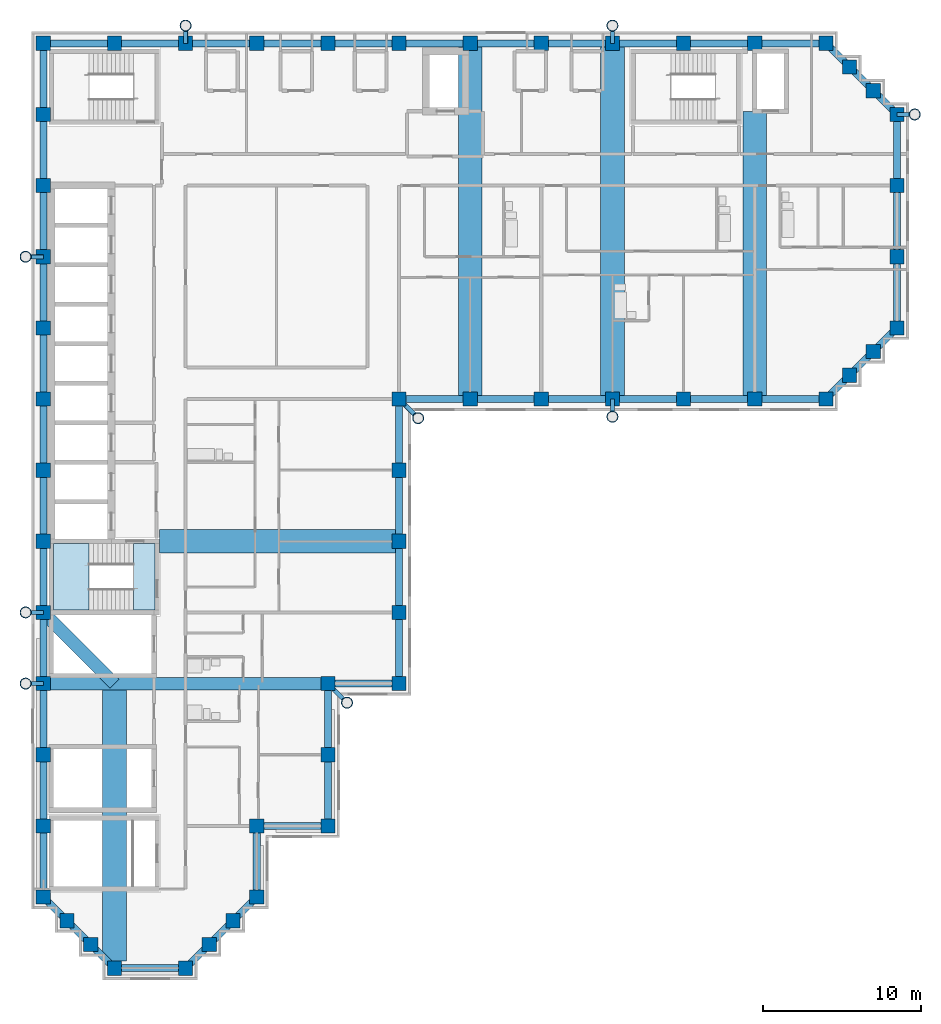
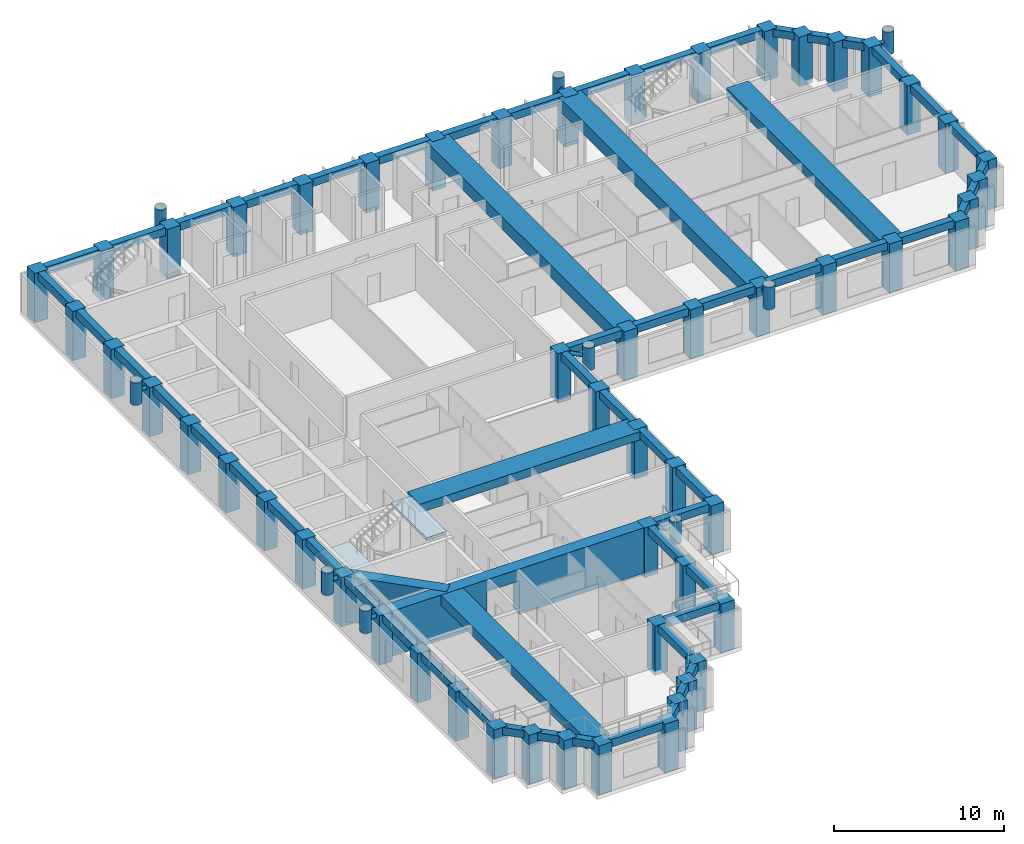
# One storey, part 1 of 11: 61 beams, 54 columns, 18 members, 2 slabs, 1 element without a shape of its own.
"""IFC4 building model written with IfcOpenShell, lengths in metres."""

from ifc_helpers import new_model, entity, si_unit, direction, frame, origin, origin_2d, place, context, subcontext, project, spatial, polyline, rectangle, hollow_circle, outline, extrude, boolean, material, layer, layer_set, material_profile, profile_set, type_object, element, aggregate, save


model = new_model("IFC4")

# Units and contexts
model_context = context("Model", 3, precision=1e-05, world=origin(), true_north=direction((0.0, 1.0)))
body_context = subcontext(model_context, "Body", "Model", "MODEL_VIEW")
ifc_project = project(units=[si_unit("LENGTHUNIT", "METRE"), si_unit("AREAUNIT", "SQUARE_METRE"), si_unit("VOLUMEUNIT", "CUBIC_METRE"), si_unit("PLANEANGLEUNIT", "RADIAN"), si_unit("MASSUNIT", "GRAM", prefix="KILO")], contexts=[model_context])

# Site, building, storey
site_placement = place(None, origin())
site = spatial("IfcSite", under=ifc_project, at=site_placement, CompositionType="ELEMENT")
building_placement = place(site_placement, origin())
building = spatial("IfcBuilding", under=site, at=building_placement, Name="Firuza Court", CompositionType="ELEMENT")
storey_placement = place(building_placement, frame((0.0, 0.0, 207.800048828125)))
storey = spatial("IfcBuildingStorey", under=building, at=storey_placement, Name="L53", CompositionType="ELEMENT", Elevation=207.800048828125)

# Columns
ifc_material_1 = material(Name="Concrete C50/60", Category="concrete")
ifc_material_profile_1 = material_profile(ifc_material_1, rectangle(XDim=0.89990234375, YDim=0.89990234375, at=origin_2d()), Name="RC 900x900")
ifc_profile_set_1 = profile_set([ifc_material_profile_1], Name="Concrete C50/60")
column_type = type_object("IfcColumnType", Name="Tube column RC 900x900 C50/60", PredefinedType="COLUMN", material=ifc_profile_set_1)
for number, where, z_axis, x_axis, name in (
    (1, (4.5, 0.0, -0.300048828125), (0.0, 0.0, 1.0), (1.0, 0.0, 0.0), "Column C-2D L53"),
    (2, (9.0, 0.0, -0.300048828125), (0.0, 0.0, 1.0), (1.0, 0.0, 0.0), "Column C-3D L53"),
    (3, (3.0, 1.5, -0.300048828125), (0.0, 0.0, 1.0), (1.0, 0.0, 0.0), "Column C-SA1 L53"),
    (4, (10.5, 1.5, -0.300048828125), (0.0, 0.0, 1.0), (1.0, 0.0, 0.0), "Column C-SA2 L53"),
    (5, (1.5, 3.0, -0.300048828125), (0.0, 0.0, 1.0), (1.0, 0.0, 0.0), "Column C-SA3 L53"),
    (6, (12.0, 3.0, -0.300048828125), (0.0, 0.0, 1.0), (1.0, 0.0, 0.0), "Column C-SA4 L53"),
    (7, (0.0, 4.5, -0.300048828125), (0.0, 0.0, 1.0), (1.0, 0.0, 0.0), "Column C-1E L53"),
    (8, (13.5, 4.5, -0.300048828125), (0.0, 0.0, 1.0), (1.0, 0.0, 0.0), "Column C-4E L53"),
    (9, (0.0, 9.0, -0.300048828125), (0.0, 0.0, 1.0), (1.0, 0.0, 0.0), "Column C-1F L53"),
    (10, (13.5, 9.0, -0.300048828125), (0.0, 0.0, 1.0), (1.0, 0.0, 0.0), "Column C-4F L53"),
    (11, (18.0, 9.0, -0.300048828125), (0.0, 0.0, 1.0), (1.0, 0.0, 0.0), "Column C-5F L53"),
    (12, (0.0, 13.5, -0.300048828125), (0.0, 0.0, 1.0), (1.0, 0.0, 0.0), "Column C-1G L53"),
    (13, (18.0, 13.5, -0.300048828125), (0.0, 0.0, 1.0), (1.0, 0.0, 0.0), "Column C-5G L53"),
    (14, (0.0, 18.0, -0.300048828125), (0.0, 0.0, 1.0), (1.0, 0.0, 0.0), "Column C-1H L53"),
    (15, (18.0, 18.0, -0.300048828125), (0.0, 0.0, 1.0), (1.0, 0.0, 0.0), "Column C-5H L53"),
    (16, (22.5, 18.0, -0.300048828125), (0.0, 0.0, 1.0), (1.0, 0.0, 0.0), "Column C-6H L53"),
    (17, (0.0, 22.5, -0.300048828125), (0.0, 0.0, 1.0), (1.0, 0.0, 0.0), "Column C-1J L53"),
    (18, (22.5, 22.5, -0.300048828125), (0.0, 0.0, 1.0), (1.0, 0.0, 0.0), "Column C-6J L53"),
    (19, (0.0, 27.0, -0.300048828125), (0.0, 0.0, 1.0), (1.0, 0.0, 0.0), "Column C-1K L53"),
    (20, (22.5, 27.0, -0.300048828125), (0.0, 0.0, 1.0), (1.0, 0.0, 0.0), "Column C-6K L53"),
    (21, (0.0, 31.5, -0.300048828125), (0.0, 0.0, 1.0), (1.0, 0.0, 0.0), "Column C-1L L53"),
    (22, (22.5, 31.5, -0.300048828125), (0.0, 0.0, 1.0), (1.0, 0.0, 0.0), "Column C-6L L53"),
    (23, (0.0, 36.0, -0.300048828125), (0.0, 0.0, 1.0), (1.0, 0.0, 0.0), "Column C-1M L53"),
    (24, (22.5, 36.0, -0.300048828125), (0.0, 0.0, 1.0), (1.0, 0.0, 0.0), "Column C-6M L53"),
    (25, (27.0, 36.0, -0.300048828125), (0.0, 0.0, 1.0), (1.0, 0.0, 0.0), "Column C-7M L53"),
    (26, (31.5, 36.0, -0.300048828125), (0.0, 0.0, 1.0), (1.0, 0.0, 0.0), "Column C-8M L53"),
    (27, (36.0, 36.0, -0.300048828125), (0.0, 0.0, 1.0), (1.0, 0.0, 0.0), "Column C-9M L53"),
    (28, (40.5, 36.0, -0.300048828125), (0.0, 0.0, 1.0), (1.0, 0.0, 0.0), "Column C-10M L53"),
    (29, (45.0, 36.0, -0.300048828125), (0.0, 0.0, 1.0), (1.0, 0.0, 0.0), "Column C-11M L53"),
    (30, (49.5, 36.0, -0.300048828125), (0.0, 0.0, 1.0), (1.0, 0.0, 0.0), "Column C-12M L53"),
    (31, (51.0, 37.5, -0.300048828125), (0.0, 0.0, 1.0), (1.0, 0.0, 0.0), "Column C-SA5 L53"),
    (32, (52.5, 39.0, -0.300048828125), (0.0, 0.0, 1.0), (1.0, 0.0, 0.0), "Column C-SA6 L53"),
    (33, (0.0, 40.5, -0.300048828125), (0.0, 0.0, 1.0), (1.0, 0.0, 0.0), "Column C-1N L53"),
    (34, (54.0, 40.5, -0.300048828125), (0.0, 0.0, 1.0), (1.0, 0.0, 0.0), "Column C-13N L53"),
    (35, (0.0, 45.0, -0.300048828125), (0.0, 0.0, 1.0), (1.0, 0.0, 0.0), "Column C-1P L53"),
    (36, (54.0, 45.0, -0.300048828125), (0.0, 0.0, 1.0), (1.0, 0.0, 0.0), "Column C-13P L53"),
    (37, (0.0, 49.5, -0.300048828125), (0.0, 0.0, 1.0), (1.0, 0.0, 0.0), "Column C-1Q L53"),
    (38, (54.0, 49.5, -0.300048828125), (0.0, 0.0, 1.0), (1.0, 0.0, 0.0), "Column C-13Q L53"),
    (39, (0.0, 54.0, -0.300048828125), (0.0, 0.0, 1.0), (1.0, 0.0, 0.0), "Column C-1R L53"),
    (40, (54.0, 54.0, -0.300048828125), (0.0, 0.0, 1.0), (1.0, 0.0, 0.0), "Column C-13R L53"),
    (41, (52.5, 55.5, -0.300048828125), (0.0, 0.0, 1.0), (1.0, 0.0, 0.0), "Column C-SA7 L53"),
    (42, (51.0, 57.0, -0.300048828125), (0.0, 0.0, 1.0), (1.0, 0.0, 0.0), "Column C-SA8 L53"),
    (43, (0.0, 58.5, -0.300048828125), (0.0, 0.0, 1.0), (1.0, 0.0, 0.0), "Column C-1S L53"),
    (44, (4.5, 58.5, -0.300048828125), (0.0, 0.0, 1.0), (1.0, 0.0, 0.0), "Column C-2S L53"),
    (45, (9.0, 58.5, -0.300048828125), (0.0, 0.0, 1.0), (1.0, 0.0, 0.0), "Column C-3S L53"),
    (46, (13.5, 58.5, -0.300048828125), (0.0, 0.0, 1.0), (1.0, 0.0, 0.0), "Column C-4S L53"),
    (47, (18.0, 58.5, -0.300048828125), (0.0, 0.0, 1.0), (1.0, 0.0, 0.0), "Column C-5S L53"),
    (48, (22.5, 58.5, -0.300048828125), (0.0, 0.0, 1.0), (1.0, 0.0, 0.0), "Column C-6S L53"),
    (49, (27.0, 58.5, -0.300048828125), (0.0, 0.0, 1.0), (1.0, 0.0, 0.0), "Column C-7S L53"),
    (50, (31.5, 58.5, -0.300048828125), (0.0, 0.0, 1.0), (1.0, 0.0, 0.0), "Column C-8S L53"),
    (51, (36.0, 58.5, -0.300048828125), (0.0, 0.0, 1.0), (1.0, 0.0, 0.0), "Column C-9S L53"),
    (52, (40.5, 58.5, -0.300048828125), (0.0, 0.0, 1.0), (1.0, 0.0, 0.0), "Column C-10S L53"),
    (53, (45.0, 58.5, -0.300048828125), (0.0, 0.0, 1.0), (1.0, 0.0, 0.0), "Column C-11S L53"),
    (54, (49.5, 58.5, -0.300048828125), (0.0, 0.0, 1.0), (1.0, 0.0, 0.0), "Column C-12S L53"),
):
    element("IfcColumn", number, at=place(storey_placement, frame(where, z_axis=z_axis, x_axis=x_axis)), inside=storey, type_object=column_type, Name=name, PredefinedType="COLUMN", context=body_context, shape_type="SweptSolid", body=[
        extrude(rectangle(XDim=0.89990234375, YDim=0.89990234375, at=origin_2d()), origin(), (0.0, 0.0, 1.0), 3.550048828125),
    ])

# Beams
ifc_material_2 = material(Name="Concrete C40/50", Category="concrete")
ifc_material_profile_2 = material_profile(ifc_material_2, rectangle(XDim=1.5, YDim=0.60009765625, at=origin_2d()), Name="RC 1500x600")
ifc_profile_set_2 = profile_set([ifc_material_profile_2], Name="Concrete C40/50")
beam_type_1 = type_object("IfcBeamType", Name="Band beam RC 1500x600 C40/50", PredefinedType="BEAM", material=ifc_profile_set_2)
beam_1_placement = place(storey_placement, frame((22.5, 27.0, 2.949951171875), z_axis=(-1.0, 0.0, 0.0), x_axis=(0.0, -1.0, 0.0)))
element("IfcBeam", 55, at=beam_1_placement, inside=storey, type_object=beam_type_1, Name="Band beam FB3 level L54", PredefinedType="BEAM", context=body_context, shape_type="SweptSolid", body=[
    extrude(rectangle(XDim=1.5, YDim=0.60009765625, at=origin_2d()), origin(), (0.0, 0.0, 1.0), 15.14990234375),
])
ifc_material_3 = material(Name="Concrete C40/50", Category="concrete")
ifc_material_profile_3 = material_profile(ifc_material_3, rectangle(XDim=1.5, YDim=0.699951171875, at=origin_2d()), Name="RC 1500x700")
ifc_profile_set_3 = profile_set([ifc_material_profile_3], Name="Concrete C40/50")
beam_type_2 = type_object("IfcBeamType", Name="Band beam RC 1500x700 C40/50", PredefinedType="BEAM", material=ifc_profile_set_3)
beam_2_placement = place(storey_placement, frame((45.0, 36.0, 2.89990234375), z_axis=(0.0, 1.0, 0.0), x_axis=(-1.0, 0.0, 0.0)))
element("IfcBeam", 56, at=beam_2_placement, inside=storey, type_object=beam_type_2, Name="Band beam FB1 level L54", PredefinedType="BEAM", context=body_context, shape_type="SweptSolid", body=[
    extrude(rectangle(XDim=1.5, YDim=0.699951171875, at=origin_2d()), origin(), (0.0, 0.0, 1.0), 18.199951171875),
])
beam_3_placement = place(storey_placement, frame((4.5, 18.0, 2.89990234375), z_axis=(0.0, -1.0, 0.0), x_axis=(1.0, 0.0, 0.0)))
element("IfcBeam", 57, at=beam_3_placement, inside=storey, type_object=beam_type_2, Name="Band beam FB1 level L54", PredefinedType="BEAM", context=body_context, shape_type="SweptSolid", body=[
    extrude(rectangle(XDim=1.5, YDim=0.699951171875, at=origin_2d()), origin(), (0.0, 0.0, 1.0), 17.550048828125),
])
ifc_material_4 = material(Name="Concrete C40/50", Category="concrete")
ifc_material_profile_4 = material_profile(ifc_material_4, rectangle(XDim=1.5, YDim=0.89990234375, at=origin_2d()), Name="RC 1500x900")
ifc_profile_set_4 = profile_set([ifc_material_profile_4], Name="Concrete C40/50")
beam_type_3 = type_object("IfcBeamType", Name="Band beam RC 1500x900 C40/50", PredefinedType="BEAM", material=ifc_profile_set_4)
for number, where, z_axis, x_axis, name in (
    (58, (27.0, 36.0, 2.800048828125), (0.0, 1.0, 0.0), (-1.0, 0.0, 0.0), "Band beam FB2 level L54"),
    (59, (36.0, 36.0, 2.800048828125), (0.0, 1.0, 0.0), (-1.0, 0.0, 0.0), "Band beam FB2 level L54"),
):
    element("IfcBeam", number, at=place(storey_placement, frame(where, z_axis=z_axis, x_axis=x_axis)), inside=storey, type_object=beam_type_3, Name=name, PredefinedType="BEAM", context=body_context, shape_type="SweptSolid", body=[
        extrude(rectangle(XDim=1.5, YDim=0.89990234375, at=origin_2d()), origin(), (0.0, 0.0, 1.0), 22.5),
    ])

# Members
ifc_material_5 = material(Name="Steel S355", Category="steel")
ifc_material_profile_5 = material_profile(ifc_material_5, hollow_circle(Radius=0.35546875, WallThickness=0.030029296875, at=origin_2d()), Name="CHS 711x30")
ifc_profile_set_5 = profile_set([ifc_material_profile_5], Name="Steel S355")
member_type_1 = type_object("IfcMemberType", Name="Diagrid node CHS 711x30 S355", PredefinedType="USERDEFINED", material=ifc_profile_set_5)
for number, where, z_axis, x_axis, name in (
    (60, (-1.1201171875, 18.0, 2.199951171875), (0.0, 0.0, 1.0), (1.0, 0.0, 0.0), "Diagrid node level L53"),
    (61, (-1.1201171875, 22.5, 2.199951171875), (0.0, 0.0, 1.0), (1.0, 0.0, 0.0), "Diagrid node level L53"),
    (62, (-1.1201171875, 45.0, 2.199951171875), (0.0, 0.0, 1.0), (1.0, 0.0, 0.0), "Diagrid node level L53"),
    (63, (9.0, 59.6201171875, 2.199951171875), (0.0, 0.0, 1.0), (1.0, 0.0, 0.0), "Diagrid node level L53"),
    (64, (19.2099609375, 16.7900390625, 2.199951171875), (0.0, 0.0, 1.0), (1.0, 0.0, 0.0), "Diagrid node level L53"),
    (65, (23.7099609375, 34.7900390625, 2.199951171875), (0.0, 0.0, 1.0), (1.0, 0.0, 0.0), "Diagrid node level L53"),
    (66, (36.0, 34.8798828125, 2.199951171875), (0.0, 0.0, 1.0), (1.0, 0.0, 0.0), "Diagrid node level L53"),
    (67, (36.0, 59.6201171875, 2.199951171875), (0.0, 0.0, 1.0), (1.0, 0.0, 0.0), "Diagrid node level L53"),
    (68, (55.1201171875, 54.0, 2.199951171875), (0.0, 0.0, 1.0), (1.0, 0.0, 0.0), "Diagrid node level L53"),
):
    element("IfcMember", number, at=place(storey_placement, frame(where, z_axis=z_axis, x_axis=x_axis)), inside=storey, type_object=member_type_1, Name=name, ObjectType="DIAGRID NODE", PredefinedType="USERDEFINED", context=body_context, shape_type="SweptSolid", body=[
        extrude(hollow_circle(Radius=0.35546875, WallThickness=0.030029296875, at=origin_2d()), origin(), (0.0, 0.0, 1.0), 1.60009765625),
    ])
ifc_material_6 = material(Name="Steel S355", Category="steel")
ifc_material_profile_6 = material_profile(ifc_material_6, hollow_circle(Radius=0.136474609375, WallThickness=0.012451171875, at=origin_2d()), Name="CHS 273x12.5")
ifc_profile_set_6 = profile_set([ifc_material_profile_6], Name="Steel S355")
member_type_2 = type_object("IfcMemberType", Name="Diagrid tie CHS 273x12.5 S355", PredefinedType="STRUT", material=ifc_profile_set_6)
for number, where, z_axis, x_axis, name in (
    (69, (0.0, 18.0, 3.0), (-1.0, 0.0, 0.0), (0.0, -1.0, 0.0), "Diagrid tie level L54"),
    (70, (0.0, 45.0, 3.0), (-1.0, 0.0, 0.0), (0.0, -1.0, 0.0), "Diagrid tie level L54"),
    (71, (9.0, 58.5, 3.0), (0.0, 1.0, 0.0), (-1.0, 0.0, 0.0), "Diagrid tie level L54"),
):
    element("IfcMember", number, at=place(storey_placement, frame(where, z_axis=z_axis, x_axis=x_axis)), inside=storey, type_object=member_type_2, Name=name, PredefinedType="STRUT", context=body_context, shape_type="SweptSolid", body=[
        extrude(hollow_circle(Radius=0.136474609375, WallThickness=0.012451171875, at=origin_2d()), origin(), (0.0, 0.0, 1.0), 1.1201171875),
    ])
for number, where, z_axis, x_axis, name in (
    (72, (18.0, 18.0, 3.0), (0.707106781187, -0.707106781187, 0.0), (0.707106781187, 0.707106781187, 0.0), "Diagrid tie level L54"),
    (73, (22.5, 36.0, 3.0), (0.707106781187, -0.707106781187, 0.0), (0.707106781187, 0.707106781187, 0.0), "Diagrid tie level L54"),
):
    element("IfcMember", number, at=place(storey_placement, frame(where, z_axis=z_axis, x_axis=x_axis)), inside=storey, type_object=member_type_2, Name=name, PredefinedType="STRUT", context=body_context, shape_type="SweptSolid", body=[
        extrude(hollow_circle(Radius=0.136474609375, WallThickness=0.012451171875, at=origin_2d()), origin(), (0.0, 0.0, 1.0), 1.711181640625),
    ])
for number, where, z_axis, x_axis, name in (
    (74, (36.0, 36.0, 3.0), (0.0, -1.0, 0.0), (1.0, 0.0, 0.0), "Diagrid tie level L54"),
    (75, (36.0, 58.5, 3.0), (0.0, 1.0, 0.0), (-1.0, 0.0, 0.0), "Diagrid tie level L54"),
    (76, (54.0, 54.0, 3.0), (1.0, 0.0, 0.0), (0.0, 1.0, 0.0), "Diagrid tie level L54"),
    (77, (0.0, 22.5, 3.0), (-1.0, 0.0, 0.0), (0.0, -1.0, 0.0), "Diagrid tie level L54"),
):
    element("IfcMember", number, at=place(storey_placement, frame(where, z_axis=z_axis, x_axis=x_axis)), inside=storey, type_object=member_type_2, Name=name, PredefinedType="STRUT", context=body_context, shape_type="SweptSolid", body=[
        extrude(hollow_circle(Radius=0.136474609375, WallThickness=0.012451171875, at=origin_2d()), origin(), (0.0, 0.0, 1.0), 1.1201171875),
    ])

# Beams
ifc_material_7 = material(Name="Concrete C40/50", Category="concrete")
ifc_material_profile_7 = material_profile(ifc_material_7, rectangle(XDim=0.449951171875, YDim=0.550048828125, at=origin_2d()), Name="RC 450x550")
ifc_profile_set_7 = profile_set([ifc_material_profile_7], Name="Concrete C40/50")
beam_type_4 = type_object("IfcBeamType", Name="Spandrel beam RC 450x550 C40/50", PredefinedType="BEAM", material=ifc_profile_set_7)
beam_4_placement = place(storey_placement, frame((0.0, 4.5, 2.974853515625), z_axis=(0.707106781187, -0.707106781187, 0.0), x_axis=(0.707106781187, 0.707106781187, 0.0)))
element("IfcBeam", 78, at=beam_4_placement, inside=storey, type_object=beam_type_4, Name="Spandrel beam SP16 level L54", PredefinedType="BEAM", context=body_context, shape_type="SweptSolid", body=[
    extrude(rectangle(XDim=0.449951171875, YDim=0.550048828125, at=origin_2d()), origin(), (0.0, 0.0, 1.0), 2.121337890625),
])
for number, where, z_axis, x_axis, name in (
    (79, (0.0, 9.0, 2.974853515625), (0.0, -1.0, 0.0), (1.0, 0.0, 0.0), "Spandrel beam SP16 level L54"),
    (80, (0.0, 13.5, 2.974853515625), (0.0, -1.0, 0.0), (1.0, 0.0, 0.0), "Spandrel beam SP16 level L54"),
    (81, (0.0, 18.0, 2.974853515625), (0.0, -1.0, 0.0), (1.0, 0.0, 0.0), "Spandrel beam SP16 level L54"),
    (82, (0.0, 22.5, 2.974853515625), (0.0, -1.0, 0.0), (1.0, 0.0, 0.0), "Spandrel beam SP16 level L54"),
    (83, (0.0, 27.0, 2.974853515625), (0.0, -1.0, 0.0), (1.0, 0.0, 0.0), "Spandrel beam SP16 level L54"),
    (84, (0.0, 31.5, 2.974853515625), (0.0, -1.0, 0.0), (1.0, 0.0, 0.0), "Spandrel beam SP16 level L54"),
    (85, (0.0, 36.0, 2.974853515625), (0.0, -1.0, 0.0), (1.0, 0.0, 0.0), "Spandrel beam SP16 level L54"),
    (86, (0.0, 40.5, 2.974853515625), (0.0, -1.0, 0.0), (1.0, 0.0, 0.0), "Spandrel beam SP16 level L54"),
    (87, (0.0, 45.0, 2.974853515625), (0.0, -1.0, 0.0), (1.0, 0.0, 0.0), "Spandrel beam SP16 level L54"),
    (88, (0.0, 49.5, 2.974853515625), (0.0, -1.0, 0.0), (1.0, 0.0, 0.0), "Spandrel beam SP16 level L54"),
    (89, (0.0, 54.0, 2.974853515625), (0.0, -1.0, 0.0), (1.0, 0.0, 0.0), "Spandrel beam SP16 level L54"),
    (90, (0.0, 58.5, 2.974853515625), (0.0, -1.0, 0.0), (1.0, 0.0, 0.0), "Spandrel beam SP16 level L54"),
):
    element("IfcBeam", number, at=place(storey_placement, frame(where, z_axis=z_axis, x_axis=x_axis)), inside=storey, type_object=beam_type_4, Name=name, PredefinedType="BEAM", context=body_context, shape_type="SweptSolid", body=[
        extrude(rectangle(XDim=0.449951171875, YDim=0.550048828125, at=origin_2d()), origin(), (0.0, 0.0, 1.0), 4.5),
    ])
for number, where, z_axis, x_axis, name in (
    (91, (1.5, 3.0, 2.974853515625), (0.707106781187, -0.707106781187, 0.0), (0.707106781187, 0.707106781187, 0.0), "Spandrel beam SP16 level L54"),
    (92, (3.0, 1.5, 2.974853515625), (0.707106781187, -0.707106781187, 0.0), (0.707106781187, 0.707106781187, 0.0), "Spandrel beam SP16 level L54"),
):
    element("IfcBeam", number, at=place(storey_placement, frame(where, z_axis=z_axis, x_axis=x_axis)), inside=storey, type_object=beam_type_4, Name=name, PredefinedType="BEAM", context=body_context, shape_type="SweptSolid", body=[
        extrude(rectangle(XDim=0.449951171875, YDim=0.550048828125, at=origin_2d()), origin(), (0.0, 0.0, 1.0), 2.121337890625),
    ])
for number, where, z_axis, x_axis, name in (
    (93, (4.5, 0.0, 2.974853515625), (1.0, 0.0, 0.0), (0.0, 1.0, 0.0), "Spandrel beam SP16 level L54"),
    (94, (4.5, 58.5, 2.974853515625), (-1.0, 0.0, 0.0), (0.0, -1.0, 0.0), "Spandrel beam SP16 level L54"),
):
    element("IfcBeam", number, at=place(storey_placement, frame(where, z_axis=z_axis, x_axis=x_axis)), inside=storey, type_object=beam_type_4, Name=name, PredefinedType="BEAM", context=body_context, shape_type="SweptSolid", body=[
        extrude(rectangle(XDim=0.449951171875, YDim=0.550048828125, at=origin_2d()), origin(), (0.0, 0.0, 1.0), 4.5),
    ])
beam_5_placement = place(storey_placement, frame((9.0, 0.0, 2.974853515625), z_axis=(0.707106781187, 0.707106781187, 0.0), x_axis=(-0.707106781187, 0.707106781187, 0.0)))
element("IfcBeam", 95, at=beam_5_placement, inside=storey, type_object=beam_type_4, Name="Spandrel beam SP16 level L54", PredefinedType="BEAM", context=body_context, shape_type="SweptSolid", body=[
    extrude(rectangle(XDim=0.449951171875, YDim=0.550048828125, at=origin_2d()), origin(), (0.0, 0.0, 1.0), 2.121337890625),
])
beam_6_placement = place(storey_placement, frame((9.0, 58.5, 2.974853515625), z_axis=(-1.0, 0.0, 0.0), x_axis=(0.0, -1.0, 0.0)))
element("IfcBeam", 96, at=beam_6_placement, inside=storey, type_object=beam_type_4, Name="Spandrel beam SP16 level L54", PredefinedType="BEAM", context=body_context, shape_type="SweptSolid", body=[
    extrude(rectangle(XDim=0.449951171875, YDim=0.550048828125, at=origin_2d()), origin(), (0.0, 0.0, 1.0), 4.5),
])
for number, where, z_axis, x_axis, name in (
    (97, (10.5, 1.5, 2.974853515625), (0.707106781187, 0.707106781187, 0.0), (-0.707106781187, 0.707106781187, 0.0), "Spandrel beam SP16 level L54"),
    (98, (12.0, 3.0, 2.974853515625), (0.707106781187, 0.707106781187, 0.0), (-0.707106781187, 0.707106781187, 0.0), "Spandrel beam SP16 level L54"),
):
    element("IfcBeam", number, at=place(storey_placement, frame(where, z_axis=z_axis, x_axis=x_axis)), inside=storey, type_object=beam_type_4, Name=name, PredefinedType="BEAM", context=body_context, shape_type="SweptSolid", body=[
        extrude(rectangle(XDim=0.449951171875, YDim=0.550048828125, at=origin_2d()), origin(), (0.0, 0.0, 1.0), 2.121337890625),
    ])
for number, where, z_axis, x_axis, name in (
    (99, (13.5, 4.5, 2.974853515625), (0.0, 1.0, 0.0), (-1.0, 0.0, 0.0), "Spandrel beam SP16 level L54"),
    (100, (13.5, 9.0, 2.974853515625), (1.0, 0.0, 0.0), (0.0, 1.0, 0.0), "Spandrel beam SP16 level L54"),
    (101, (13.5, 58.5, 2.974853515625), (-1.0, 0.0, 0.0), (0.0, -1.0, 0.0), "Spandrel beam SP16 level L54"),
    (102, (18.0, 9.0, 2.974853515625), (0.0, 1.0, 0.0), (-1.0, 0.0, 0.0), "Spandrel beam SP16 level L54"),
    (103, (18.0, 13.5, 2.974853515625), (0.0, 1.0, 0.0), (-1.0, 0.0, 0.0), "Spandrel beam SP16 level L54"),
    (104, (18.0, 18.0, 2.974853515625), (1.0, 0.0, 0.0), (0.0, 1.0, 0.0), "Spandrel beam SP16 level L54"),
    (105, (18.0, 58.5, 2.974853515625), (-1.0, 0.0, 0.0), (0.0, -1.0, 0.0), "Spandrel beam SP16 level L54"),
    (106, (22.5, 18.0, 2.974853515625), (0.0, 1.0, 0.0), (-1.0, 0.0, 0.0), "Spandrel beam SP16 level L54"),
    (107, (22.5, 22.5, 2.974853515625), (0.0, 1.0, 0.0), (-1.0, 0.0, 0.0), "Spandrel beam SP16 level L54"),
    (108, (22.5, 27.0, 2.974853515625), (0.0, 1.0, 0.0), (-1.0, 0.0, 0.0), "Spandrel beam SP16 level L54"),
    (109, (22.5, 31.5, 2.974853515625), (0.0, 1.0, 0.0), (-1.0, 0.0, 0.0), "Spandrel beam SP16 level L54"),
    (110, (22.5, 36.0, 2.974853515625), (1.0, 0.0, 0.0), (0.0, 1.0, 0.0), "Spandrel beam SP16 level L54"),
    (111, (22.5, 58.5, 2.974853515625), (-1.0, 0.0, 0.0), (0.0, -1.0, 0.0), "Spandrel beam SP16 level L54"),
    (112, (27.0, 36.0, 2.974853515625), (1.0, 0.0, 0.0), (0.0, 1.0, 0.0), "Spandrel beam SP16 level L54"),
    (113, (27.0, 58.5, 2.974853515625), (-1.0, 0.0, 0.0), (0.0, -1.0, 0.0), "Spandrel beam SP16 level L54"),
    (114, (31.5, 36.0, 2.974853515625), (1.0, 0.0, 0.0), (0.0, 1.0, 0.0), "Spandrel beam SP16 level L54"),
    (115, (31.5, 58.5, 2.974853515625), (-1.0, 0.0, 0.0), (0.0, -1.0, 0.0), "Spandrel beam SP16 level L54"),
    (116, (36.0, 36.0, 2.974853515625), (1.0, 0.0, 0.0), (0.0, 1.0, 0.0), "Spandrel beam SP16 level L54"),
    (117, (36.0, 58.5, 2.974853515625), (-1.0, 0.0, 0.0), (0.0, -1.0, 0.0), "Spandrel beam SP16 level L54"),
    (118, (40.5, 36.0, 2.974853515625), (1.0, 0.0, 0.0), (0.0, 1.0, 0.0), "Spandrel beam SP16 level L54"),
    (119, (40.5, 58.5, 2.974853515625), (-1.0, 0.0, 0.0), (0.0, -1.0, 0.0), "Spandrel beam SP16 level L54"),
    (120, (45.0, 36.0, 2.974853515625), (1.0, 0.0, 0.0), (0.0, 1.0, 0.0), "Spandrel beam SP16 level L54"),
    (121, (45.0, 58.5, 2.974853515625), (-1.0, 0.0, 0.0), (0.0, -1.0, 0.0), "Spandrel beam SP16 level L54"),
):
    element("IfcBeam", number, at=place(storey_placement, frame(where, z_axis=z_axis, x_axis=x_axis)), inside=storey, type_object=beam_type_4, Name=name, PredefinedType="BEAM", context=body_context, shape_type="SweptSolid", body=[
        extrude(rectangle(XDim=0.449951171875, YDim=0.550048828125, at=origin_2d()), origin(), (0.0, 0.0, 1.0), 4.5),
    ])
beam_7_placement = place(storey_placement, frame((49.5, 36.0, 2.974853515625), z_axis=(0.707106781187, 0.707106781187, 0.0), x_axis=(-0.707106781187, 0.707106781187, 0.0)))
element("IfcBeam", 122, at=beam_7_placement, inside=storey, type_object=beam_type_4, Name="Spandrel beam SP16 level L54", PredefinedType="BEAM", context=body_context, shape_type="SweptSolid", body=[
    extrude(rectangle(XDim=0.449951171875, YDim=0.550048828125, at=origin_2d()), origin(), (0.0, 0.0, 1.0), 2.121337890625),
])
beam_8_placement = place(storey_placement, frame((49.5, 58.5, 2.974853515625), z_axis=(-1.0, 0.0, 0.0), x_axis=(0.0, -1.0, 0.0)))
element("IfcBeam", 123, at=beam_8_placement, inside=storey, type_object=beam_type_4, Name="Spandrel beam SP16 level L54", PredefinedType="BEAM", context=body_context, shape_type="SweptSolid", body=[
    extrude(rectangle(XDim=0.449951171875, YDim=0.550048828125, at=origin_2d()), origin(), (0.0, 0.0, 1.0), 4.5),
])
for number, where, z_axis, x_axis, name in (
    (124, (51.0, 37.5, 2.974853515625), (0.707106781187, 0.707106781187, 0.0), (-0.707106781187, 0.707106781187, 0.0), "Spandrel beam SP16 level L54"),
    (125, (51.0, 57.0, 2.974853515625), (-0.707106781187, 0.707106781187, 0.0), (-0.707106781187, -0.707106781187, 0.0), "Spandrel beam SP16 level L54"),
    (126, (52.5, 39.0, 2.974853515625), (0.707106781187, 0.707106781187, 0.0), (-0.707106781187, 0.707106781187, 0.0), "Spandrel beam SP16 level L54"),
    (127, (52.5, 55.5, 2.974853515625), (-0.707106781187, 0.707106781187, 0.0), (-0.707106781187, -0.707106781187, 0.0), "Spandrel beam SP16 level L54"),
):
    element("IfcBeam", number, at=place(storey_placement, frame(where, z_axis=z_axis, x_axis=x_axis)), inside=storey, type_object=beam_type_4, Name=name, PredefinedType="BEAM", context=body_context, shape_type="SweptSolid", body=[
        extrude(rectangle(XDim=0.449951171875, YDim=0.550048828125, at=origin_2d()), origin(), (0.0, 0.0, 1.0), 2.121337890625),
    ])
for number, where, z_axis, x_axis, name in (
    (128, (54.0, 40.5, 2.974853515625), (0.0, 1.0, 0.0), (-1.0, 0.0, 0.0), "Spandrel beam SP16 level L54"),
    (129, (54.0, 45.0, 2.974853515625), (0.0, 1.0, 0.0), (-1.0, 0.0, 0.0), "Spandrel beam SP16 level L54"),
    (130, (54.0, 49.5, 2.974853515625), (0.0, 1.0, 0.0), (-1.0, 0.0, 0.0), "Spandrel beam SP16 level L54"),
):
    element("IfcBeam", number, at=place(storey_placement, frame(where, z_axis=z_axis, x_axis=x_axis)), inside=storey, type_object=beam_type_4, Name=name, PredefinedType="BEAM", context=body_context, shape_type="SweptSolid", body=[
        extrude(rectangle(XDim=0.449951171875, YDim=0.550048828125, at=origin_2d()), origin(), (0.0, 0.0, 1.0), 4.5),
    ])
beam_9_placement = place(storey_placement, frame((54.0, 54.0, 2.974853515625), z_axis=(-0.707106781187, 0.707106781187, 0.0), x_axis=(-0.707106781187, -0.707106781187, 0.0)))
element("IfcBeam", 131, at=beam_9_placement, inside=storey, type_object=beam_type_4, Name="Spandrel beam SP16 level L54", PredefinedType="BEAM", context=body_context, shape_type="SweptSolid", body=[
    extrude(rectangle(XDim=0.449951171875, YDim=0.550048828125, at=origin_2d()), origin(), (0.0, 0.0, 1.0), 2.121337890625),
])
ifc_material_8 = material(Name="Concrete C60/75", Category="concrete")
ifc_material_profile_8 = material_profile(ifc_material_8, rectangle(XDim=0.800048828125, YDim=3.25, at=origin_2d()), Name="RC 800x3250")
ifc_profile_set_8 = profile_set([ifc_material_profile_8], Name="Concrete C60/75")
beam_type_5 = type_object("IfcBeamType", Name="Transfer girder RC 800x3250 C60/75", PredefinedType="USERDEFINED", material=ifc_profile_set_8)
beam_10_placement = place(storey_placement, frame((0.0, 22.5, 1.625), z_axis=(0.707106781187, -0.707106781187, 0.0), x_axis=(0.707106781187, 0.707106781187, 0.0)))
element("IfcBeam", 132, at=beam_10_placement, inside=storey, type_object=beam_type_5, Name="Transfer girder TG4 level L54", ObjectType="TRANSFER GIRDER", PredefinedType="USERDEFINED", context=body_context, shape_type="SweptSolid", body=[
    extrude(rectangle(XDim=0.800048828125, YDim=3.25, at=origin_2d()), origin(), (0.0, 0.0, 1.0), 6.364013671875),
])
ifc_material_9 = material(Name="Concrete C70/85", Category="concrete")
ifc_material_profile_9 = material_profile(ifc_material_9, rectangle(XDim=0.800048828125, YDim=3.25, at=origin_2d()), Name="RC 800x3250")
ifc_profile_set_9 = profile_set([ifc_material_profile_9], Name="Concrete C70/85")
beam_type_6 = type_object("IfcBeamType", Name="Transfer girder RC 800x3250 C70/85", PredefinedType="USERDEFINED", material=ifc_profile_set_9)
beam_11_placement = place(storey_placement, frame((0.0, 18.0, 1.625), z_axis=(1.0, 0.0, 0.0), x_axis=(0.0, 1.0, 0.0)))
element("IfcBeam", 133, at=beam_11_placement, inside=storey, type_object=beam_type_6, Name="Transfer girder TG5 level L54", ObjectType="TRANSFER GIRDER", PredefinedType="USERDEFINED", context=body_context, shape_type="Clipping", body=[
    boolean("DIFFERENCE", extrude(rectangle(XDim=0.800048828125, YDim=3.25, at=origin_2d()), origin(), (0.0, 0.0, 1.0), 18.0), entity("IfcBlock", entity("IfcAxis2Placement3D", entity("IfcCartesianPoint", [-0.4100244140625, -1.635, 6.9])), 0.820048828125, 2.4099999999999997, 2.2)),
])

# Stair, slabs
ifc_material_10 = material(Name="Concrete C40/50 precast", Category="concrete")
stair_type = type_object("IfcStairType", Name="Stair 1350 x 3600 2 flights", PredefinedType="HALF_TURN_STAIR", material=ifc_material_10)
stair_placement = place(storey_placement, origin())
stair = element("IfcStair", 134, at=stair_placement, inside=storey, type_object=stair_type, Name="Stair 2 L53", PredefinedType="HALF_TURN_STAIR")
ifc_material_11 = material(Name="Concrete C40/50 precast", Category="concrete")
ifc_layer = layer(ifc_material_11, 0.199951171875)
ifc_layer_set = layer_set([ifc_layer], Name="Concrete C40/50 precast")
slab_type = type_object("IfcSlabType", Name="Stair landing 200", PredefinedType="LANDING", material=ifc_layer_set)
slab_1_placement = place(storey_placement, frame((0.0, 0.0, 1.599853515625)))
slab_1 = element("IfcSlab", 135, at=slab_1_placement, type_object=slab_type, Name="S2 landing 1", PredefinedType="LANDING", context=body_context, shape_type="SweptSolid", body=[
    extrude(outline(polyline([(2.89990234375, 22.64990234375), (2.89990234375, 26.85009765625), (0.64990234375, 26.85009765625), (0.64990234375, 22.64990234375), (2.89990234375, 22.64990234375)])), origin(), (0.0, 0.0, 1.0), 0.2001953125),
])
slab_2_placement = place(storey_placement, frame((0.0, 0.0, 3.39990234375)))
slab_2 = element("IfcSlab", 136, at=slab_2_placement, type_object=slab_type, Name="S2 landing 2", PredefinedType="LANDING", context=body_context, shape_type="SweptSolid", body=[
    extrude(outline(polyline([(7.050048828125, 22.64990234375), (7.050048828125, 26.85009765625), (5.699951171875, 26.85009765625), (5.699951171875, 22.64990234375), (7.050048828125, 22.64990234375)])), origin(), (0.0, 0.0, 1.0), 0.199951171875),
])
aggregate(stair, [slab_1, slab_2])

save(model, "model.ifc")
